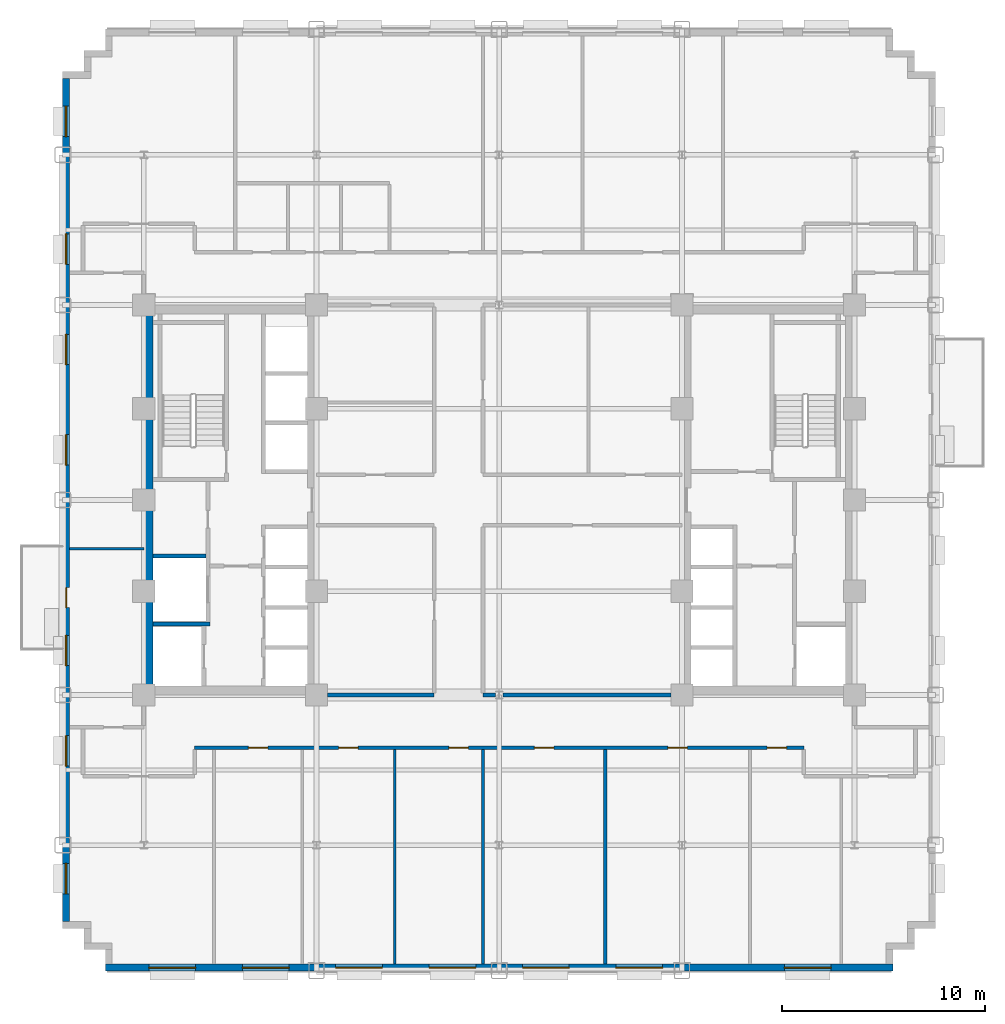
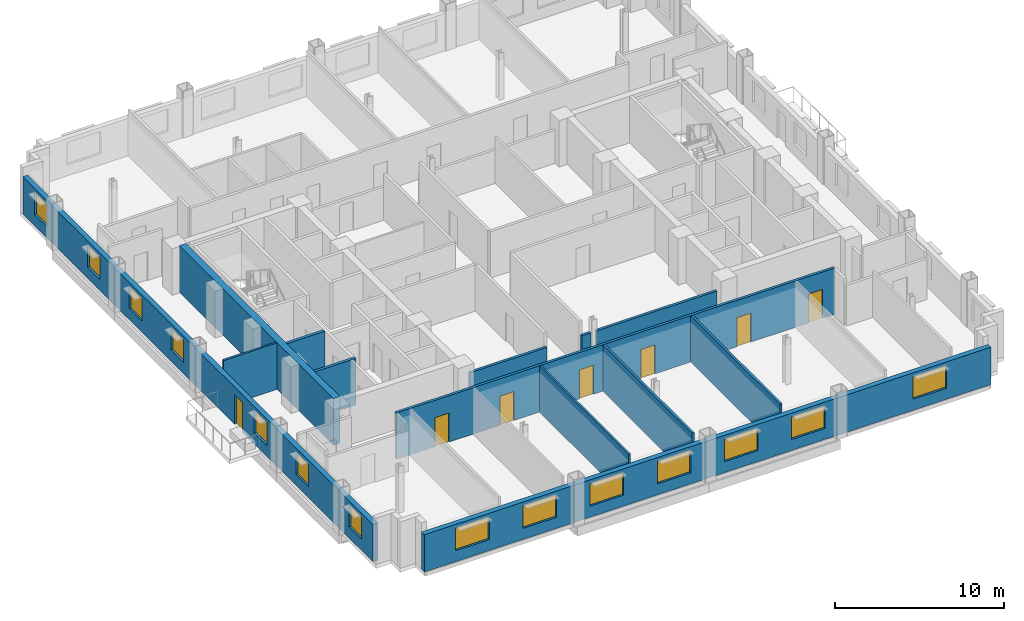
# One storey, part 6 of 14: 14 windows, 13 walls, 7 doors, 21 openings.
"""IFC4 building model written with IfcOpenShell, lengths in metres."""

import ifcopenshell
import ifcopenshell.guid

model = None  # the IFC model being written
_history = None  # IfcOwnerHistory: only IFC2X3 demands one
_inside = {}  # id of a spatial element -> (the spatial element, [elements in it])
_under = {}  # id of a project, library or spatial element -> (it, [spatial elements below it])
_declared = {}  # id of a project -> (the project, [libraries it declares])
_typed = {}  # id of a type object -> (the type object, [elements of that type])
_made_of = {}  # id of a material, layer set ... -> (it, [elements and type objects made of it])


def new_model(schema):
    """Start an empty IFC model of exactly this schema.

    Asked for "IFC4X3", IfcOpenShell would pick the latest addendum, in which some entities
    have other attributes; the version numbers below select the first issue.
    IFC2X3 requires an IfcOwnerHistory on every rooted entity: one is made here for all.
    """
    global model, _history
    if schema == "IFC4X3":
        model = ifcopenshell.file(schema_version=(4, 3, 0, 0))
    else:
        model = ifcopenshell.file(schema=schema)
    _inside.clear()
    _under.clear()
    _declared.clear()
    _typed.clear()
    _made_of.clear()
    _history = None
    if model.schema == "IFC2X3":
        org = make("IfcOrganization", Name="unknown")
        user = make(
            "IfcPersonAndOrganization",
            ThePerson=make("IfcPerson", FamilyName="unknown"),
            TheOrganization=org,
        )
        app = make(
            "IfcApplication",
            ApplicationDeveloper=org,
            Version="unknown",
            ApplicationFullName="unknown",
            ApplicationIdentifier="unknown",
        )
        _history = make(
            "IfcOwnerHistory",
            OwningUser=user,
            OwningApplication=app,
            ChangeAction="ADDED",
            CreationDate=0,
        )
    return model


def make(cls, **values):
    """One entity of the class cls with the attributes given. An attribute that is None is left unset."""
    return model.create_entity(
        cls, **{name: value for name, value in values.items() if value is not None}
    )


def rooted(cls, **values):
    """An entity with a GlobalId (a new one), such as an element, a storey or a relation."""
    return make(cls, GlobalId=ifcopenshell.guid.new(), OwnerHistory=_history, **values)


def si_unit(unit_type, name, prefix=None):
    """IfcSIUnit, for example si_unit("LENGTHUNIT", "METRE", prefix="MILLI")."""
    return make("IfcSIUnit", UnitType=unit_type, Prefix=prefix, Name=name)


def assignment(units):
    """IfcUnitAssignment: the units of a project."""
    return None if units is None else make("IfcUnitAssignment", Units=units)


def point(xyz):
    """IfcCartesianPoint."""
    return None if xyz is None else make("IfcCartesianPoint", Coordinates=xyz)


def direction(xyz):
    """IfcDirection."""
    return None if xyz is None else make("IfcDirection", DirectionRatios=xyz)


def frame(location, z_axis=None, x_axis=None):
    """IfcAxis2Placement3D, a coordinate frame: its origin and axes. An axis left out is left unset."""
    return make(
        "IfcAxis2Placement3D",
        Location=point(location),
        Axis=direction(z_axis),
        RefDirection=direction(x_axis),
    )


def frame_2d(location, x_axis=None):
    """IfcAxis2Placement2D, a coordinate frame in the plane: its origin and x axis."""
    return make(
        "IfcAxis2Placement2D", Location=point(location), RefDirection=direction(x_axis)
    )


def origin():
    """The frame at (0, 0, 0) with its axes left unset."""
    return frame((0.0, 0.0, 0.0))


def place(relative_to, where):
    """IfcLocalPlacement: puts the frame where relative to a parent placement (None: the world)."""
    return make(
        "IfcLocalPlacement", PlacementRelTo=relative_to, RelativePlacement=where
    )


def context(
    kind, dimensions, precision=None, world=None, true_north=None, identifier=None
):
    """IfcGeometricRepresentationContext, for example the 3D "Model" context."""
    return make(
        "IfcGeometricRepresentationContext",
        ContextIdentifier=identifier,
        ContextType=kind,
        CoordinateSpaceDimension=dimensions,
        Precision=precision,
        WorldCoordinateSystem=world,
        TrueNorth=true_north,
    )


def subcontext(parent, identifier, kind, view, scale=None):
    """IfcGeometricRepresentationSubContext, for example "Body" below "Model"."""
    return make(
        "IfcGeometricRepresentationSubContext",
        ContextIdentifier=identifier,
        ContextType=kind,
        ParentContext=parent,
        TargetScale=scale,
        TargetView=view,
    )


def project(units=None, contexts=None):
    """IfcProject with its units and contexts."""
    return rooted(
        "IfcProject",
        Name="project",
        RepresentationContexts=contexts,
        UnitsInContext=assignment(units),
    )


def spatial(cls, under=None, at=None, **own):
    """A site, building, storey or space (cls), placed at a placement, below another one or the project."""
    s = rooted(cls, ObjectPlacement=at, **own)
    if under is not None:
        _under.setdefault(under.id(), (under, []))[1].append(s)
    return s


def profile(cls, at=None, kind="AREA", **sizes):
    """A parametric profile (cls). Its sizes go by their IFC names, for example OverallWidth=200.0."""
    return make(cls, ProfileType=kind, Position=at, **sizes)


def rectangle(**sizes):
    """IfcRectangleProfileDef."""
    return profile("IfcRectangleProfileDef", **sizes)


def extrude(swept, where, along, depth):
    """IfcExtrudedAreaSolid: the profile swept, set in the frame where, extruded along a direction by depth."""
    return make(
        "IfcExtrudedAreaSolid",
        SweptArea=swept,
        Position=where,
        ExtrudedDirection=direction(along),
        Depth=depth,
    )


def shape(context_of_items, identifier, shape_type, items):
    """IfcShapeRepresentation: the items that make up one representation, for example the "Body"."""
    return make(
        "IfcShapeRepresentation",
        ContextOfItems=context_of_items,
        RepresentationIdentifier=identifier,
        RepresentationType=shape_type,
        Items=items,
    )


def source(mapping_origin, context_of_items, identifier, shape_type, items):
    """IfcRepresentationMap: a shape defined once, which mapped items show again and again."""
    return make(
        "IfcRepresentationMap",
        MappingOrigin=mapping_origin,
        MappedRepresentation=shape(context_of_items, identifier, shape_type, items),
    )


def transform(
    local_origin,
    x_axis=None,
    y_axis=None,
    z_axis=None,
    scale=None,
    scale2=None,
    scale3=None,
    uniform=True,
):
    """IfcCartesianTransformationOperator3D, or its non-uniform kind. x_axis, y_axis, z_axis: its Axis1, 2, 3."""
    if uniform:
        return make(
            "IfcCartesianTransformationOperator3D",
            Axis1=direction(x_axis),
            Axis2=direction(y_axis),
            LocalOrigin=point(local_origin),
            Scale=scale,
            Axis3=direction(z_axis),
        )
    return make(
        "IfcCartesianTransformationOperator3DnonUniform",
        Axis1=direction(x_axis),
        Axis2=direction(y_axis),
        LocalOrigin=point(local_origin),
        Scale=scale,
        Axis3=direction(z_axis),
        Scale2=scale2,
        Scale3=scale3,
    )


def mapped(mapping_source, mapping_target):
    """IfcMappedItem: shows the shape of a source again, moved by a transform."""
    return make(
        "IfcMappedItem", MappingSource=mapping_source, MappingTarget=mapping_target
    )


def material(Name=None, Category=None):
    """IfcMaterial."""
    return make("IfcMaterial", Name=Name, Category=Category)


def layer(
    of_material, thickness, ventilated=None, Name=None, Category=None, Priority=None
):
    """IfcMaterialLayer: one layer of a wall or slab, of a material (None: an air gap)."""
    return make(
        "IfcMaterialLayer",
        Material=of_material,
        LayerThickness=thickness,
        IsVentilated=ventilated,
        Name=Name,
        Category=Category,
        Priority=Priority,
    )


def layer_set(layers, Name=None):
    """IfcMaterialLayerSet."""
    return make("IfcMaterialLayerSet", MaterialLayers=layers, LayerSetName=Name)


def made_of(thing, what):
    """Note that an element or type object is made of a material, layer set ...; save() writes the relation."""
    if what is not None:
        _made_of.setdefault(what.id(), (what, []))[1].append(thing)
    return thing


def type_object(cls, material=None, **own):
    """A type object (cls), such as IfcWallType, which elements share."""
    return made_of(rooted(cls, **own), material)


def type_shapes(of_type, sources):
    """Give a type object the sources (RepresentationMaps) that its elements show as mapped items."""
    of_type.RepresentationMaps = sources


def element(
    cls,
    number,
    at=None,
    inside=None,
    cuts=None,
    type_object=None,
    material=None,
    context=None,
    identifier="Body",
    shape_type=None,
    held_by="IfcProductDefinitionShape",
    body=None,
    shapes=None,
    **own,
):
    """One element of the class cls, such as IfcWall. Its Tag is "e" and its number.

    at: its placement. inside: the storey or other place that contains it. cuts: it is an
    opening in that element (IfcRelVoidsElement). A single representation is given by context,
    identifier, shape_type and body (its items); several are given by shapes. held_by: the class
    of the entity that holds the representations. save() writes the other relations.
    """
    e = rooted(cls, Tag="e%d" % number, ObjectPlacement=at, **own)
    if body is not None:
        shapes = [shape(context, identifier, shape_type, body)]
    if shapes is not None:
        e.Representation = make(held_by, Representations=shapes)
    if inside is not None:
        _inside.setdefault(inside.id(), (inside, []))[1].append(e)
    if cuts is not None:
        rooted(
            "IfcRelVoidsElement", RelatingBuildingElement=cuts, RelatedOpeningElement=e
        )
    if type_object is not None:
        _typed.setdefault(type_object.id(), (type_object, []))[1].append(e)
    return made_of(e, material)


def fill(opening, filler):
    """IfcRelFillsElement: the door or window that sits in an opening."""
    return rooted(
        "IfcRelFillsElement",
        RelatingOpeningElement=opening,
        RelatedBuildingElement=filler,
    )


def aggregate(whole, parts):
    """IfcRelAggregates: a whole, such as a stair, and the parts it consists of."""
    return rooted("IfcRelAggregates", RelatingObject=whole, RelatedObjects=parts)


def save(model, path):
    """Write the relations noted so far, then the file.

    IfcRelAggregates (storeys below a building ...), IfcRelContainedInSpatialStructure (elements
    in a storey), IfcRelDefinesByType, IfcRelAssociatesMaterial and IfcRelDeclares: one each for
    every whole, place, type object, material and project.
    """
    for whole, parts in _under.values():
        aggregate(whole, parts)
    for where, things in _inside.values():
        rooted(
            "IfcRelContainedInSpatialStructure",
            RelatedElements=things,
            RelatingStructure=where,
        )
    for kind, things in _typed.values():
        rooted("IfcRelDefinesByType", RelatedObjects=things, RelatingType=kind)
    for what, things in _made_of.values():
        rooted("IfcRelAssociatesMaterial", RelatedObjects=things, RelatingMaterial=what)
    for by, libraries in _declared.values():
        rooted("IfcRelDeclares", RelatingContext=by, RelatedDefinitions=libraries)
    model.write(path)


model = new_model("IFC4")

# Units and contexts
model_context = context("Model", 3, precision=1e-05, world=origin(), true_north=direction((0.0, 1.0)))
body_context = subcontext(model_context, "Body", "Model", "MODEL_VIEW")
ifc_project = project(units=[si_unit("LENGTHUNIT", "METRE"), si_unit("AREAUNIT", "SQUARE_METRE"), si_unit("VOLUMEUNIT", "CUBIC_METRE"), si_unit("PLANEANGLEUNIT", "RADIAN"), si_unit("MASSUNIT", "GRAM", prefix="KILO")], contexts=[model_context])

# Site, building, storey
site_placement = place(None, origin())
site = spatial("IfcSite", under=ifc_project, at=site_placement, CompositionType="ELEMENT")
building_placement = place(site_placement, origin())
building = spatial("IfcBuilding", under=site, at=building_placement, Name="Nuvemarco Arch Tower", CompositionType="ELEMENT")
storey_placement = place(building_placement, frame((0.0, 0.0, 75.050048828125)))
storey = spatial("IfcBuildingStorey", under=building, at=storey_placement, Name="L19", CompositionType="ELEMENT", Elevation=75.050048828125)

# Wall, openings, windows
ifc_material_1 = material(Name="Precast concrete C45/55", Category="concrete")
ifc_layer_1 = layer(ifc_material_1, 0.340087890625, Name="EW-LOW-340")
ifc_layer_set_1 = layer_set([ifc_layer_1], Name="Precast concrete C45/55")
wall_type_1 = type_object("IfcWallType", Name="EW-LOW-340", PredefinedType="STANDARD", material=ifc_layer_set_1)
wall_1_placement = place(storey_placement, frame((-19.39990234375, -23.030029296875, 0.0), z_axis=(0.0, 0.0, 1.0), x_axis=(1.0, 0.0, 0.0)))
wall_1 = element("IfcWall", 1, at=wall_1_placement, inside=storey, type_object=wall_type_1, Name="L19 exterior precast facade wall 1", PredefinedType="STANDARD", context=body_context, shape_type="SweptSolid", body=[
    extrude(rectangle(XDim=38.7998046875, YDim=0.340087890625, at=frame_2d((19.39990234375, 0.0))), origin(), (0.0, 0.0, 1.0), 2.704833984375),
])
opening_1_placement = place(wall_1_placement, frame((2.14990234375, 0.0, 0.800048828125)))
opening_1 = element("IfcOpeningElement", 2, at=opening_1_placement, cuts=wall_1, Name="Opening WN-10", PredefinedType="OPENING", context=body_context, shape_type="SweptSolid", body=[
    extrude(rectangle(XDim=2.300048828125, YDim=1.6201171875, at=frame_2d((1.14990234375, 0.81005859375))), frame((0.0, 0.179931640625, 0.0), z_axis=(0.0, -1.0, 0.0), x_axis=(1.0, 0.0, 0.0)), (0.0, 0.0, 1.0), 0.360107421875),
])
opening_2_placement = place(wall_1_placement, frame((6.75, 0.0, 0.800048828125)))
opening_2 = element("IfcOpeningElement", 3, at=opening_2_placement, cuts=wall_1, Name="Opening WN-10", PredefinedType="OPENING", context=body_context, shape_type="SweptSolid", body=[
    extrude(rectangle(XDim=2.300048828125, YDim=1.6201171875, at=frame_2d((1.14990234375, 0.81005859375))), frame((0.0, 0.179931640625, 0.0), z_axis=(0.0, -1.0, 0.0), x_axis=(1.0, 0.0, 0.0)), (0.0, 0.0, 1.0), 0.360107421875),
])
opening_3_placement = place(wall_1_placement, frame((11.35009765625, 0.0, 0.800048828125)))
opening_3 = element("IfcOpeningElement", 4, at=opening_3_placement, cuts=wall_1, Name="Opening WN-10", PredefinedType="OPENING", context=body_context, shape_type="SweptSolid", body=[
    extrude(rectangle(XDim=2.300048828125, YDim=1.6201171875, at=frame_2d((1.14990234375, 0.81005859375))), frame((0.0, 0.179931640625, 0.0), z_axis=(0.0, -1.0, 0.0), x_axis=(1.0, 0.0, 0.0)), (0.0, 0.0, 1.0), 0.360107421875),
])
opening_4_placement = place(wall_1_placement, frame((15.949951171875, 0.0, 0.800048828125)))
opening_4 = element("IfcOpeningElement", 5, at=opening_4_placement, cuts=wall_1, Name="Opening WN-10", PredefinedType="OPENING", context=body_context, shape_type="SweptSolid", body=[
    extrude(rectangle(XDim=2.300048828125, YDim=1.6201171875, at=frame_2d((1.14990234375, 0.81005859375))), frame((0.0, 0.179931640625, 0.0), z_axis=(0.0, -1.0, 0.0), x_axis=(1.0, 0.0, 0.0)), (0.0, 0.0, 1.0), 0.360107421875),
])
opening_5_placement = place(wall_1_placement, frame((20.550048828125, 0.0, 0.800048828125)))
opening_5 = element("IfcOpeningElement", 6, at=opening_5_placement, cuts=wall_1, Name="Opening WN-10", PredefinedType="OPENING", context=body_context, shape_type="SweptSolid", body=[
    extrude(rectangle(XDim=2.300048828125, YDim=1.6201171875, at=frame_2d((1.14990234375, 0.81005859375))), frame((0.0, 0.179931640625, 0.0), z_axis=(0.0, -1.0, 0.0), x_axis=(1.0, 0.0, 0.0)), (0.0, 0.0, 1.0), 0.360107421875),
])
opening_6_placement = place(wall_1_placement, frame((25.14990234375, 0.0, 0.800048828125)))
opening_6 = element("IfcOpeningElement", 7, at=opening_6_placement, cuts=wall_1, Name="Opening WN-10", PredefinedType="OPENING", context=body_context, shape_type="SweptSolid", body=[
    extrude(rectangle(XDim=2.300048828125, YDim=1.6201171875, at=frame_2d((1.14990234375, 0.81005859375))), frame((0.0, 0.179931640625, 0.0), z_axis=(0.0, -1.0, 0.0), x_axis=(1.0, 0.0, 0.0)), (0.0, 0.0, 1.0), 0.360107421875),
])
opening_7_placement = place(wall_1_placement, frame((33.449951171875, 0.0, 0.800048828125)))
opening_7 = element("IfcOpeningElement", 8, at=opening_7_placement, cuts=wall_1, Name="Opening WN-10", PredefinedType="OPENING", context=body_context, shape_type="SweptSolid", body=[
    extrude(rectangle(XDim=2.300048828125, YDim=1.6201171875, at=frame_2d((1.14990234375, 0.81005859375))), frame((0.0, 0.179931640625, 0.0), z_axis=(0.0, -1.0, 0.0), x_axis=(1.0, 0.0, 0.0)), (0.0, 0.0, 1.0), 0.360107421875),
])
ifc_material_2 = material(Name="Insulated solar-control glass", Category="glass")
window_type_1 = type_object("IfcWindowType", Name="WN-STEP-2300x1700", PartitioningType="DOUBLE_PANEL_VERTICAL", PredefinedType="WINDOW", material=ifc_material_2)
shared_shape_1 = source(origin(), body_context, "Body", "SweptSolid", [
    extrude(rectangle(XDim=2.300048828125, YDim=1.6201171875, at=frame_2d((1.14990234375, 0.81005859375))), frame((0.0, 0.030029296875, 0.0), z_axis=(0.0, -1.0, 0.0), x_axis=(1.0, 0.0, 0.0)), (0.0, 0.0, 1.0), 0.06005859375),
])
type_shapes(window_type_1, [shared_shape_1])
window_1_placement = place(opening_1_placement, origin())
window_1 = element("IfcWindow", 9, at=window_1_placement, inside=storey, type_object=window_type_1, Name="L19 punched facade window 1", OverallHeight=1.6201171875, OverallWidth=2.300048828125, PartitioningType="SINGLE_PANEL", PredefinedType="WINDOW", context=body_context, shape_type="MappedRepresentation", body=[
    mapped(shared_shape_1, transform((0.0, 0.0, 0.0), scale=1.0)),
])
fill(opening_1, window_1)
window_2_placement = place(opening_2_placement, origin())
window_2 = element("IfcWindow", 10, at=window_2_placement, inside=storey, type_object=window_type_1, Name="L19 punched facade window 2", OverallHeight=1.6201171875, OverallWidth=2.300048828125, PartitioningType="SINGLE_PANEL", PredefinedType="WINDOW", context=body_context, shape_type="MappedRepresentation", body=[
    mapped(shared_shape_1, transform((0.0, 0.0, 0.0), scale=1.0)),
])
fill(opening_2, window_2)
window_3_placement = place(opening_3_placement, origin())
window_3 = element("IfcWindow", 11, at=window_3_placement, inside=storey, type_object=window_type_1, Name="L19 punched facade window 3", OverallHeight=1.6201171875, OverallWidth=2.300048828125, PartitioningType="SINGLE_PANEL", PredefinedType="WINDOW", context=body_context, shape_type="MappedRepresentation", body=[
    mapped(shared_shape_1, transform((0.0, 0.0, 0.0), scale=1.0)),
])
fill(opening_3, window_3)
window_4_placement = place(opening_4_placement, origin())
window_4 = element("IfcWindow", 12, at=window_4_placement, inside=storey, type_object=window_type_1, Name="L19 punched facade window 4", OverallHeight=1.6201171875, OverallWidth=2.300048828125, PartitioningType="SINGLE_PANEL", PredefinedType="WINDOW", context=body_context, shape_type="MappedRepresentation", body=[
    mapped(shared_shape_1, transform((0.0, 0.0, 0.0), scale=1.0)),
])
fill(opening_4, window_4)
window_5_placement = place(opening_5_placement, origin())
window_5 = element("IfcWindow", 13, at=window_5_placement, inside=storey, type_object=window_type_1, Name="L19 punched facade window 5", OverallHeight=1.6201171875, OverallWidth=2.300048828125, PartitioningType="SINGLE_PANEL", PredefinedType="WINDOW", context=body_context, shape_type="MappedRepresentation", body=[
    mapped(shared_shape_1, transform((0.0, 0.0, 0.0), scale=1.0)),
])
fill(opening_5, window_5)
window_6_placement = place(opening_6_placement, origin())
window_6 = element("IfcWindow", 14, at=window_6_placement, inside=storey, type_object=window_type_1, Name="L19 punched facade window 6", OverallHeight=1.6201171875, OverallWidth=2.300048828125, PartitioningType="SINGLE_PANEL", PredefinedType="WINDOW", context=body_context, shape_type="MappedRepresentation", body=[
    mapped(shared_shape_1, transform((0.0, 0.0, 0.0), scale=1.0)),
])
fill(opening_6, window_6)
window_7_placement = place(opening_7_placement, origin())
window_7 = element("IfcWindow", 15, at=window_7_placement, inside=storey, type_object=window_type_1, Name="L19 punched facade window 8", OverallHeight=1.6201171875, OverallWidth=2.300048828125, PartitioningType="SINGLE_PANEL", PredefinedType="WINDOW", context=body_context, shape_type="MappedRepresentation", body=[
    mapped(shared_shape_1, transform((0.0, 0.0, 0.0), scale=1.0)),
])
fill(opening_7, window_7)

# Wall, openings, door, windows
wall_2_placement = place(storey_placement, frame((-21.330078125, -20.763916015625, 0.0), z_axis=(0.0, 0.0, 1.0), x_axis=(0.0, 1.0, 0.0)))
wall_2 = element("IfcWall", 16, at=wall_2_placement, inside=storey, type_object=wall_type_1, Name="L19 exterior precast facade wall 16", PredefinedType="STANDARD", context=body_context, shape_type="SweptSolid", body=[
    extrude(rectangle(XDim=41.52783203125, YDim=0.340087890625, at=frame_2d((20.763916015625, 0.0))), origin(), (0.0, 0.0, 1.0), 2.704833984375),
])
opening_8_placement = place(wall_2_placement, frame((15.464111328125, 0.0, 0.0)))
opening_8 = element("IfcOpeningElement", 17, at=opening_8_placement, cuts=wall_2, Name="Opening ED-6", PredefinedType="OPENING", context=body_context, shape_type="SweptSolid", body=[
    extrude(rectangle(XDim=0.97998046875, YDim=2.14990234375, at=frame_2d((0.489990234375, 1.074951171875))), frame((0.0, 0.179931640625, 0.0), z_axis=(0.0, -1.0, 0.0), x_axis=(1.0, 0.0, 0.0)), (0.0, 0.0, 1.0), 0.360107421875),
])
opening_9_placement = place(wall_2_placement, frame((1.37060546875, 0.0, 0.800048828125)))
opening_9 = element("IfcOpeningElement", 18, at=opening_9_placement, cuts=wall_2, Name="Opening WN-11", PredefinedType="OPENING", context=body_context, shape_type="SweptSolid", body=[
    extrude(rectangle(XDim=1.5, YDim=1.60009765625, at=frame_2d((0.75, 0.800048828125))), frame((0.0, 0.179931640625, 0.0), z_axis=(0.0, -1.0, 0.0), x_axis=(1.0, 0.0, 0.0)), (0.0, 0.0, 1.0), 0.360107421875),
])
opening_10_placement = place(wall_2_placement, frame((7.66162109375, 0.0, 0.800048828125)))
opening_10 = element("IfcOpeningElement", 19, at=opening_10_placement, cuts=wall_2, Name="Opening WN-11", PredefinedType="OPENING", context=body_context, shape_type="SweptSolid", body=[
    extrude(rectangle(XDim=1.5, YDim=1.60009765625, at=frame_2d((0.75, 0.800048828125))), frame((0.0, 0.179931640625, 0.0), z_axis=(0.0, -1.0, 0.0), x_axis=(1.0, 0.0, 0.0)), (0.0, 0.0, 1.0), 0.360107421875),
])
opening_11_placement = place(wall_2_placement, frame((12.6025390625, 0.0, 0.800048828125)))
opening_11 = element("IfcOpeningElement", 20, at=opening_11_placement, cuts=wall_2, Name="Opening WN-11", PredefinedType="OPENING", context=body_context, shape_type="SweptSolid", body=[
    extrude(rectangle(XDim=1.5, YDim=1.60009765625, at=frame_2d((0.75, 0.800048828125))), frame((0.0, 0.179931640625, 0.0), z_axis=(0.0, -1.0, 0.0), x_axis=(1.0, 0.0, 0.0)), (0.0, 0.0, 1.0), 0.360107421875),
])
opening_12_placement = place(wall_2_placement, frame((22.484619140625, 0.0, 0.800048828125)))
opening_12 = element("IfcOpeningElement", 21, at=opening_12_placement, cuts=wall_2, Name="Opening WN-11", PredefinedType="OPENING", context=body_context, shape_type="SweptSolid", body=[
    extrude(rectangle(XDim=1.5, YDim=1.60009765625, at=frame_2d((0.75, 0.800048828125))), frame((0.0, 0.179931640625, 0.0), z_axis=(0.0, -1.0, 0.0), x_axis=(1.0, 0.0, 0.0)), (0.0, 0.0, 1.0), 0.360107421875),
])
opening_13_placement = place(wall_2_placement, frame((27.425537109375, 0.0, 0.800048828125)))
opening_13 = element("IfcOpeningElement", 22, at=opening_13_placement, cuts=wall_2, Name="Opening WN-11", PredefinedType="OPENING", context=body_context, shape_type="SweptSolid", body=[
    extrude(rectangle(XDim=1.5, YDim=1.60009765625, at=frame_2d((0.75, 0.800048828125))), frame((0.0, 0.179931640625, 0.0), z_axis=(0.0, -1.0, 0.0), x_axis=(1.0, 0.0, 0.0)), (0.0, 0.0, 1.0), 0.360107421875),
])
opening_14_placement = place(wall_2_placement, frame((32.366455078125, 0.0, 0.800048828125)))
opening_14 = element("IfcOpeningElement", 23, at=opening_14_placement, cuts=wall_2, Name="Opening WN-11", PredefinedType="OPENING", context=body_context, shape_type="SweptSolid", body=[
    extrude(rectangle(XDim=1.5, YDim=1.60009765625, at=frame_2d((0.75, 0.800048828125))), frame((0.0, 0.179931640625, 0.0), z_axis=(0.0, -1.0, 0.0), x_axis=(1.0, 0.0, 0.0)), (0.0, 0.0, 1.0), 0.360107421875),
])
opening_15_placement = place(wall_2_placement, frame((38.657470703125, 0.0, 0.800048828125)))
opening_15 = element("IfcOpeningElement", 24, at=opening_15_placement, cuts=wall_2, Name="Opening WN-11", PredefinedType="OPENING", context=body_context, shape_type="SweptSolid", body=[
    extrude(rectangle(XDim=1.5, YDim=1.60009765625, at=frame_2d((0.75, 0.800048828125))), frame((0.0, 0.179931640625, 0.0), z_axis=(0.0, -1.0, 0.0), x_axis=(1.0, 0.0, 0.0)), (0.0, 0.0, 1.0), 0.360107421875),
])
ifc_material_3 = material(Name="Anodised bronze and laminated glass", Category="glass")
door_type_1 = type_object("IfcDoorType", Name="DR-EXT-BALC", OperationType="NOTDEFINED", PredefinedType="DOOR", material=ifc_material_3)
shared_shape_2 = source(origin(), body_context, "Body", "SweptSolid", [
    extrude(rectangle(XDim=0.97998046875, YDim=2.14990234375, at=frame_2d((0.489990234375, 1.074951171875))), frame((0.0, 0.02490234375, 0.0), z_axis=(0.0, -1.0, 0.0), x_axis=(1.0, 0.0, 0.0)), (0.0, 0.0, 1.0), 0.050048828125),
])
type_shapes(door_type_1, [shared_shape_2])
door_1_placement = place(opening_8_placement, origin())
door_1 = element("IfcDoor", 25, at=door_1_placement, inside=storey, type_object=door_type_1, Name="L19 tree balcony access door", OperationType="SINGLE_SWING_LEFT", OverallHeight=2.14990234375, OverallWidth=0.97998046875, PredefinedType="DOOR", context=body_context, shape_type="MappedRepresentation", body=[
    mapped(shared_shape_2, transform((0.0, 0.0, 0.0), scale=1.0)),
])
fill(opening_8, door_1)
window_type_2 = type_object("IfcWindowType", Name="WN-STEP-1500x1850", PartitioningType="SINGLE_PANEL", PredefinedType="WINDOW", material=ifc_material_2)
shared_shape_3 = source(origin(), body_context, "Body", "SweptSolid", [
    extrude(rectangle(XDim=1.5, YDim=1.60009765625, at=frame_2d((0.75, 0.800048828125))), frame((0.0, 0.030029296875, 0.0), z_axis=(0.0, -1.0, 0.0), x_axis=(1.0, 0.0, 0.0)), (0.0, 0.0, 1.0), 0.06005859375),
])
type_shapes(window_type_2, [shared_shape_3])
window_8_placement = place(opening_9_placement, origin())
window_8 = element("IfcWindow", 26, at=window_8_placement, inside=storey, type_object=window_type_2, Name="L19 punched facade window 1", OverallHeight=1.60009765625, OverallWidth=1.5, PartitioningType="SINGLE_PANEL", PredefinedType="WINDOW", context=body_context, shape_type="MappedRepresentation", body=[
    mapped(shared_shape_3, transform((0.0, 0.0, 0.0), scale=1.0)),
])
fill(opening_9, window_8)
window_9_placement = place(opening_10_placement, origin())
window_9 = element("IfcWindow", 27, at=window_9_placement, inside=storey, type_object=window_type_2, Name="L19 punched facade window 2", OverallHeight=1.60009765625, OverallWidth=1.5, PartitioningType="SINGLE_PANEL", PredefinedType="WINDOW", context=body_context, shape_type="MappedRepresentation", body=[
    mapped(shared_shape_3, transform((0.0, 0.0, 0.0), scale=1.0)),
])
fill(opening_10, window_9)
window_10_placement = place(opening_11_placement, origin())
window_10 = element("IfcWindow", 28, at=window_10_placement, inside=storey, type_object=window_type_2, Name="L19 punched facade window 3", OverallHeight=1.60009765625, OverallWidth=1.5, PartitioningType="SINGLE_PANEL", PredefinedType="WINDOW", context=body_context, shape_type="MappedRepresentation", body=[
    mapped(shared_shape_3, transform((0.0, 0.0, 0.0), scale=1.0)),
])
fill(opening_11, window_10)
window_11_placement = place(opening_12_placement, origin())
window_11 = element("IfcWindow", 29, at=window_11_placement, inside=storey, type_object=window_type_2, Name="L19 punched facade window 5", OverallHeight=1.60009765625, OverallWidth=1.5, PartitioningType="SINGLE_PANEL", PredefinedType="WINDOW", context=body_context, shape_type="MappedRepresentation", body=[
    mapped(shared_shape_3, transform((0.0, 0.0, 0.0), scale=1.0)),
])
fill(opening_12, window_11)
window_12_placement = place(opening_13_placement, origin())
window_12 = element("IfcWindow", 30, at=window_12_placement, inside=storey, type_object=window_type_2, Name="L19 punched facade window 6", OverallHeight=1.60009765625, OverallWidth=1.5, PartitioningType="SINGLE_PANEL", PredefinedType="WINDOW", context=body_context, shape_type="MappedRepresentation", body=[
    mapped(shared_shape_3, transform((0.0, 0.0, 0.0), scale=1.0)),
])
fill(opening_13, window_12)
window_13_placement = place(opening_14_placement, origin())
window_13 = element("IfcWindow", 31, at=window_13_placement, inside=storey, type_object=window_type_2, Name="L19 punched facade window 7", OverallHeight=1.60009765625, OverallWidth=1.5, PartitioningType="SINGLE_PANEL", PredefinedType="WINDOW", context=body_context, shape_type="MappedRepresentation", body=[
    mapped(shared_shape_3, transform((0.0, 0.0, 0.0), scale=1.0)),
])
fill(opening_14, window_13)
window_14_placement = place(opening_15_placement, origin())
window_14 = element("IfcWindow", 32, at=window_14_placement, inside=storey, type_object=window_type_2, Name="L19 punched facade window 8", OverallHeight=1.60009765625, OverallWidth=1.5, PartitioningType="SINGLE_PANEL", PredefinedType="WINDOW", context=body_context, shape_type="MappedRepresentation", body=[
    mapped(shared_shape_3, transform((0.0, 0.0, 0.0), scale=1.0)),
])
fill(opening_15, window_14)

# Wall
ifc_material_4 = material(Name="Concrete C60/75", Category="concrete")
ifc_layer_2 = layer(ifc_material_4, 0.449951171875, Name="WL-CORE-450")
ifc_layer_set_2 = layer_set([ifc_layer_2], Name="Concrete C60/75")
wall_type_2 = type_object("IfcWallType", Name="WL-CORE-450", PredefinedType="SHEAR", material=ifc_layer_set_2)
wall_3_placement = place(storey_placement, frame((-17.27490234375, -9.155029296875, 0.0), z_axis=(0.0, 0.0, 1.0), x_axis=(0.0, 1.0, 0.0)))
element("IfcWall", 33, at=wall_3_placement, inside=storey, type_object=wall_type_2, Name="L19 W-core shear wall W", PredefinedType="SHEAR", context=body_context, shape_type="SweptSolid", body=[
    extrude(rectangle(XDim=18.31005859375, YDim=0.449951171875, at=frame_2d((9.155029296875, 0.0))), origin(), (0.0, 0.0, 1.0), 3.369873046875),
])

# Wall, openings, doors
ifc_material_5 = material(Name="Fire-rated gypsum drywall partition")
ifc_layer_3 = layer(ifc_material_5, 0.179931640625, Name="WL-CORR-180")
ifc_layer_set_3 = layer_set([ifc_layer_3], Name="Fire-rated gypsum drywall partition")
wall_type_3 = type_object("IfcWallType", Name="WL-CORR-180", PredefinedType="PARTITIONING", material=ifc_layer_set_3)
wall_4_placement = place(storey_placement, frame((-15.0, -12.199951171875, 0.0), z_axis=(0.0, 0.0, 1.0), x_axis=(1.0, 0.0, 0.0)))
wall_4 = element("IfcWall", 34, at=wall_4_placement, inside=storey, type_object=wall_type_3, Name="L19 interior wall IW-L19-003", PredefinedType="PARTITIONING", context=body_context, shape_type="SweptSolid", body=[
    extrude(rectangle(XDim=30.0, YDim=0.179931640625, at=frame_2d((15.0, 0.0))), origin(), (0.0, 0.0, 1.0), 3.35986328125),
])
opening_16_placement = place(wall_4_placement, frame((23.31005859375, 0.0, 0.0)))
opening_16 = element("IfcOpeningElement", 35, at=opening_16_placement, cuts=wall_4, Name="Opening FD-5", PredefinedType="OPENING", context=body_context, shape_type="SweptSolid", body=[
    extrude(rectangle(XDim=0.9599609375, YDim=2.10009765625, at=frame_2d((0.47998046875, 1.050048828125))), frame((0.0, 0.099853515625, 0.0), z_axis=(0.0, -1.0, 0.0), x_axis=(1.0, 0.0, 0.0)), (0.0, 0.0, 1.0), 0.199951171875),
])
opening_17_placement = place(wall_4_placement, frame((16.72998046875, 0.0, 0.0)))
opening_17 = element("IfcOpeningElement", 36, at=opening_17_placement, cuts=wall_4, Name="Opening FD-5", PredefinedType="OPENING", context=body_context, shape_type="SweptSolid", body=[
    extrude(rectangle(XDim=0.9599609375, YDim=2.10009765625, at=frame_2d((0.47998046875, 1.050048828125))), frame((0.0, 0.099853515625, 0.0), z_axis=(0.0, -1.0, 0.0), x_axis=(1.0, 0.0, 0.0)), (0.0, 0.0, 1.0), 0.199951171875),
])
opening_18_placement = place(wall_4_placement, frame((7.094970703125, 0.0, 0.0)))
opening_18 = element("IfcOpeningElement", 37, at=opening_18_placement, cuts=wall_4, Name="Opening FD-5", PredefinedType="OPENING", context=body_context, shape_type="SweptSolid", body=[
    extrude(rectangle(XDim=0.9599609375, YDim=2.10009765625, at=frame_2d((0.47998046875, 1.050048828125))), frame((0.0, 0.099853515625, 0.0), z_axis=(0.0, -1.0, 0.0), x_axis=(1.0, 0.0, 0.0)), (0.0, 0.0, 1.0), 0.199951171875),
])
opening_19_placement = place(wall_4_placement, frame((2.64501953125, 0.0, 0.0)))
opening_19 = element("IfcOpeningElement", 38, at=opening_19_placement, cuts=wall_4, Name="Opening FD-5", PredefinedType="OPENING", context=body_context, shape_type="SweptSolid", body=[
    extrude(rectangle(XDim=0.9599609375, YDim=2.10009765625, at=frame_2d((0.47998046875, 1.050048828125))), frame((0.0, 0.099853515625, 0.0), z_axis=(0.0, -1.0, 0.0), x_axis=(1.0, 0.0, 0.0)), (0.0, 0.0, 1.0), 0.199951171875),
])
opening_20_placement = place(wall_4_placement, frame((28.199951171875, 0.0, 0.0)))
opening_20 = element("IfcOpeningElement", 39, at=opening_20_placement, cuts=wall_4, Name="Opening FD-5", PredefinedType="OPENING", context=body_context, shape_type="SweptSolid", body=[
    extrude(rectangle(XDim=0.9599609375, YDim=2.10009765625, at=frame_2d((0.47998046875, 1.050048828125))), frame((0.0, 0.099853515625, 0.0), z_axis=(0.0, -1.0, 0.0), x_axis=(1.0, 0.0, 0.0)), (0.0, 0.0, 1.0), 0.199951171875),
])
opening_21_placement = place(wall_4_placement, frame((12.52001953125, 0.0, 0.0)))
opening_21 = element("IfcOpeningElement", 40, at=opening_21_placement, cuts=wall_4, Name="Opening FD-5", PredefinedType="OPENING", context=body_context, shape_type="SweptSolid", body=[
    extrude(rectangle(XDim=0.9599609375, YDim=2.10009765625, at=frame_2d((0.47998046875, 1.050048828125))), frame((0.0, 0.099853515625, 0.0), z_axis=(0.0, -1.0, 0.0), x_axis=(1.0, 0.0, 0.0)), (0.0, 0.0, 1.0), 0.199951171875),
])
ifc_material_6 = material(Name="Timber fire door", Category="wood")
door_type_2 = type_object("IfcDoorType", Name="DR-CORR-FD", OperationType="NOTDEFINED", PredefinedType="DOOR", material=ifc_material_6)
shared_shape_4 = source(origin(), body_context, "Body", "SweptSolid", [
    extrude(rectangle(XDim=0.9599609375, YDim=2.10009765625, at=frame_2d((0.47998046875, 1.050048828125))), frame((0.0, 0.02490234375, 0.0), z_axis=(0.0, -1.0, 0.0), x_axis=(1.0, 0.0, 0.0)), (0.0, 0.0, 1.0), 0.050048828125),
])
type_shapes(door_type_2, [shared_shape_4])
door_2_placement = place(opening_16_placement, origin())
door_2 = element("IfcDoor", 41, at=door_2_placement, inside=storey, type_object=door_type_2, Name="L19 door DR-L19-S_6", OperationType="SINGLE_SWING_RIGHT", OverallHeight=2.10009765625, OverallWidth=0.9599609375, PredefinedType="DOOR", context=body_context, shape_type="MappedRepresentation", body=[
    mapped(shared_shape_4, transform((0.0, 0.0, 0.0), scale=1.0)),
])
fill(opening_16, door_2)
door_3_placement = place(opening_17_placement, origin())
door_3 = element("IfcDoor", 42, at=door_3_placement, inside=storey, type_object=door_type_2, Name="L19 door DR-L19-S_5", OperationType="SINGLE_SWING_RIGHT", OverallHeight=2.10009765625, OverallWidth=0.9599609375, PredefinedType="DOOR", context=body_context, shape_type="MappedRepresentation", body=[
    mapped(shared_shape_4, transform((0.0, 0.0, 0.0), scale=1.0)),
])
fill(opening_17, door_3)
door_4_placement = place(opening_18_placement, origin())
door_4 = element("IfcDoor", 43, at=door_4_placement, inside=storey, type_object=door_type_2, Name="L19 door DR-L19-S_3", OperationType="SINGLE_SWING_RIGHT", OverallHeight=2.10009765625, OverallWidth=0.9599609375, PredefinedType="DOOR", context=body_context, shape_type="MappedRepresentation", body=[
    mapped(shared_shape_4, transform((0.0, 0.0, 0.0), scale=1.0)),
])
fill(opening_18, door_4)
door_5_placement = place(opening_19_placement, origin())
door_5 = element("IfcDoor", 44, at=door_5_placement, inside=storey, type_object=door_type_2, Name="L19 door DR-L19-S_2", OperationType="SINGLE_SWING_LEFT", OverallHeight=2.10009765625, OverallWidth=0.9599609375, PredefinedType="DOOR", context=body_context, shape_type="MappedRepresentation", body=[
    mapped(shared_shape_4, transform((0.0, 0.0, 0.0), scale=1.0)),
])
fill(opening_19, door_5)
door_6_placement = place(opening_20_placement, origin())
door_6 = element("IfcDoor", 45, at=door_6_placement, inside=storey, type_object=door_type_2, Name="L19 door DR-L19-S_7", OperationType="SINGLE_SWING_RIGHT", OverallHeight=2.10009765625, OverallWidth=0.9599609375, PredefinedType="DOOR", context=body_context, shape_type="MappedRepresentation", body=[
    mapped(shared_shape_4, transform((0.0, 0.0, 0.0), scale=1.0)),
])
fill(opening_20, door_6)
door_7_placement = place(opening_21_placement, origin())
door_7 = element("IfcDoor", 46, at=door_7_placement, inside=storey, type_object=door_type_2, Name="L19 door DR-L19-S_4", OperationType="SINGLE_SWING_RIGHT", OverallHeight=2.10009765625, OverallWidth=0.9599609375, PredefinedType="DOOR", context=body_context, shape_type="MappedRepresentation", body=[
    mapped(shared_shape_4, transform((0.0, 0.0, 0.0), scale=1.0)),
])
fill(opening_21, door_7)

# Walls
wall_5_placement = place(storey_placement, frame((-8.4541015625, -9.60009765625, 0.0), z_axis=(0.0, 0.0, 1.0), x_axis=(1.0, 0.0, 0.0)))
element("IfcWall", 47, at=wall_5_placement, inside=storey, type_object=wall_type_3, Name="L19 interior wall IW-L19-006", PredefinedType="PARTITIONING", context=body_context, shape_type="SweptSolid", body=[
    extrude(rectangle(XDim=5.254150390625, YDim=0.179931640625, at=frame_2d((2.626953125, 0.0))), origin(), (0.0, 0.0, 1.0), 2.405029296875),
])
wall_6_placement = place(storey_placement, frame((-0.800048828125, -9.60009765625, 0.0), z_axis=(0.0, 0.0, 1.0), x_axis=(1.0, 0.0, 0.0)))
element("IfcWall", 48, at=wall_6_placement, inside=storey, type_object=wall_type_3, Name="L19 interior wall IW-L19-007", PredefinedType="PARTITIONING", context=body_context, shape_type="SweptSolid", body=[
    extrude(rectangle(XDim=0.6240234375, YDim=0.179931640625, at=frame_2d((0.31201171875, 0.0))), origin(), (0.0, 0.0, 1.0), 2.405029296875),
])
wall_7_placement = place(storey_placement, frame((0.176025390625, -9.60009765625, 0.0), z_axis=(0.0, 0.0, 1.0), x_axis=(1.0, 0.0, 0.0)))
element("IfcWall", 49, at=wall_7_placement, inside=storey, type_object=wall_type_3, Name="L19 interior wall IW-L19-008", PredefinedType="PARTITIONING", context=body_context, shape_type="SweptSolid", body=[
    extrude(rectangle(XDim=8.278076171875, YDim=0.179931640625, at=frame_2d((4.13916015625, 0.0))), origin(), (0.0, 0.0, 1.0), 2.405029296875),
])
ifc_material_7 = material(Name="Glazed acoustic office partition")
ifc_layer_4 = layer(ifc_material_7, 0.1298828125, Name="WL-EXEC-130")
ifc_layer_set_4 = layer_set([ifc_layer_4], Name="Glazed acoustic office partition")
wall_type_4 = type_object("IfcWallType", Name="WL-EXEC-130", PredefinedType="PARTITIONING", material=ifc_layer_set_4)
wall_8_placement = place(storey_placement, frame((-5.14990234375, -22.860107421875, 0.0), z_axis=(0.0, 0.0, 1.0), x_axis=(0.0, 1.0, 0.0)))
element("IfcWall", 50, at=wall_8_placement, inside=storey, type_object=wall_type_4, Name="L19 interior wall IW-L19-036", PredefinedType="PARTITIONING", context=body_context, shape_type="SweptSolid", body=[
    extrude(rectangle(XDim=10.57421875, YDim=0.1298828125, at=frame_2d((5.287109375, 0.0))), origin(), (0.0, 0.0, 1.0), 3.35986328125),
])
ifc_material_8 = material(Name="Gypsum plasterboard partition")
ifc_layer_5 = layer(ifc_material_8, 0.139892578125, Name="WL-ROOM-140")
ifc_layer_set_5 = layer_set([ifc_layer_5], Name="Gypsum plasterboard partition")
wall_type_5 = type_object("IfcWallType", Name="WL-ROOM-140", PredefinedType="PARTITIONING", material=ifc_layer_set_5)
wall_9_placement = place(storey_placement, frame((-21.159912109375, -2.39990234375, 0.0), z_axis=(0.0, 0.0, 1.0), x_axis=(1.0, 0.0, 0.0)))
element("IfcWall", 51, at=wall_9_placement, inside=storey, type_object=wall_type_5, Name="L19 interior wall IW-L19-009", PredefinedType="PARTITIONING", context=body_context, shape_type="SweptSolid", body=[
    extrude(rectangle(XDim=3.659912109375, YDim=0.139892578125, at=frame_2d((1.830078125, 0.0))), origin(), (0.0, 0.0, 1.0), 3.35986328125),
])
ifc_material_9 = material(Name="Concrete C50/60", Category="concrete")
ifc_layer_6 = layer(ifc_material_9, 0.199951171875, Name="WL-SHAFT-220")
ifc_layer_set_6 = layer_set([ifc_layer_6], Name="Concrete C50/60")
wall_type_6 = type_object("IfcWallType", Name="WL-SHAFT-220", PredefinedType="SHEAR", material=ifc_layer_set_6)
wall_10_placement = place(storey_placement, frame((-17.054931640625, -6.10009765625, 0.0), z_axis=(0.0, 0.0, 1.0), x_axis=(1.0, 0.0, 0.0)))
element("IfcWall", 52, at=wall_10_placement, inside=storey, type_object=wall_type_6, Name="L19 structural shaft wall SW-L19-W-SH1", PredefinedType="SHEAR", context=body_context, shape_type="SweptSolid", body=[
    extrude(rectangle(XDim=2.804931640625, YDim=0.199951171875, at=frame_2d((1.40234375, 0.0))), origin(), (0.0, 0.0, 1.0), 3.369873046875),
])
wall_11_placement = place(storey_placement, frame((-17.054931640625, -2.75, 0.0), z_axis=(0.0, 0.0, 1.0), x_axis=(1.0, 0.0, 0.0)))
element("IfcWall", 53, at=wall_11_placement, inside=storey, type_object=wall_type_6, Name="L19 structural shaft wall SW-L19-W-SH2", PredefinedType="SHEAR", context=body_context, shape_type="SweptSolid", body=[
    extrude(rectangle(XDim=2.60986328125, YDim=0.199951171875, at=frame_2d((1.304931640625, 0.0))), origin(), (0.0, 0.0, 1.0), 3.369873046875),
])
ifc_material_10 = material(Name="Acoustic gypsum drywall partition")
ifc_layer_7 = layer(ifc_material_10, 0.159912109375, Name="WL-TENANT-160")
ifc_layer_set_7 = layer_set([ifc_layer_7], Name="Acoustic gypsum drywall partition")
wall_type_7 = type_object("IfcWallType", Name="WL-TENANT-160", PredefinedType="PARTITIONING", material=ifc_layer_set_7)
for number, where, z_axis, x_axis, name in (
    (54, (-0.800048828125, -22.860107421875, 0.0), (0.0, 0.0, 1.0), (0.0, 1.0, 0.0), "L19 interior wall IW-L19-039"),
    (55, (5.219970703125, -22.860107421875, 0.0), (0.0, 0.0, 1.0), (0.0, 1.0, 0.0), "L19 interior wall IW-L19-045"),
):
    element("IfcWall", number, at=place(storey_placement, frame(where, z_axis=z_axis, x_axis=x_axis)), inside=storey, type_object=wall_type_7, Name=name, PredefinedType="PARTITIONING", context=body_context, shape_type="SweptSolid", body=[
        extrude(rectangle(XDim=10.57421875, YDim=0.159912109375, at=frame_2d((5.287109375, 0.0))), origin(), (0.0, 0.0, 1.0), 3.35986328125),
    ])

save(model, "model.ifc")
